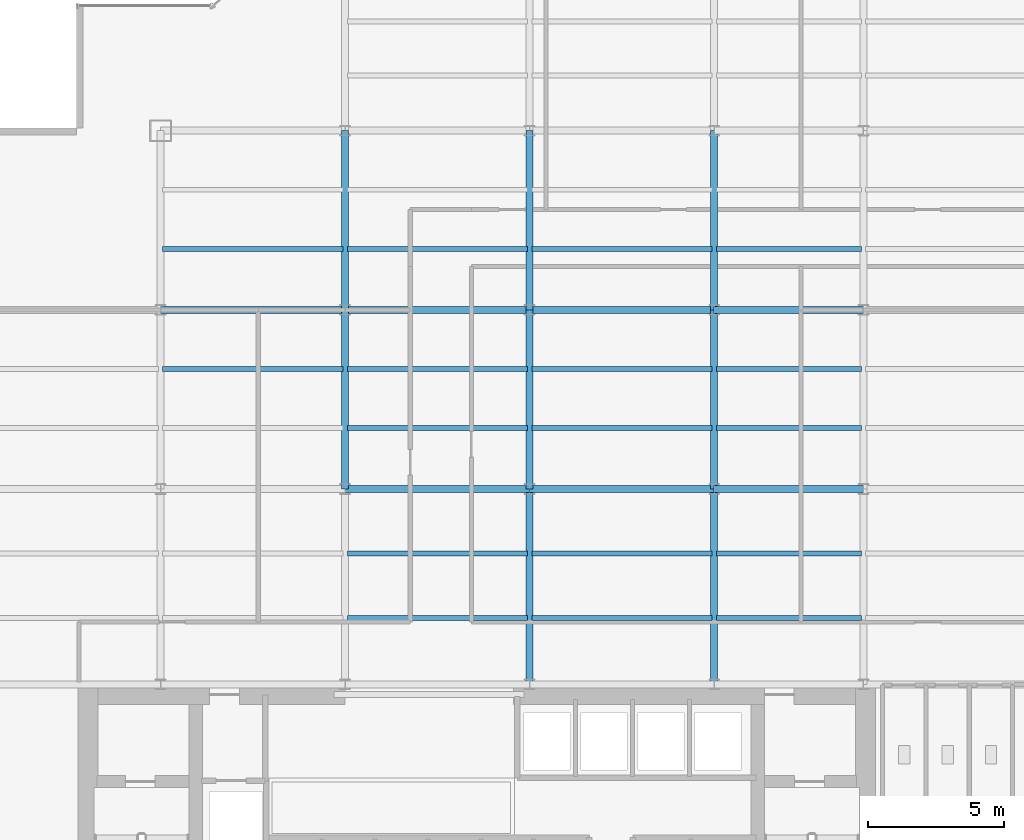
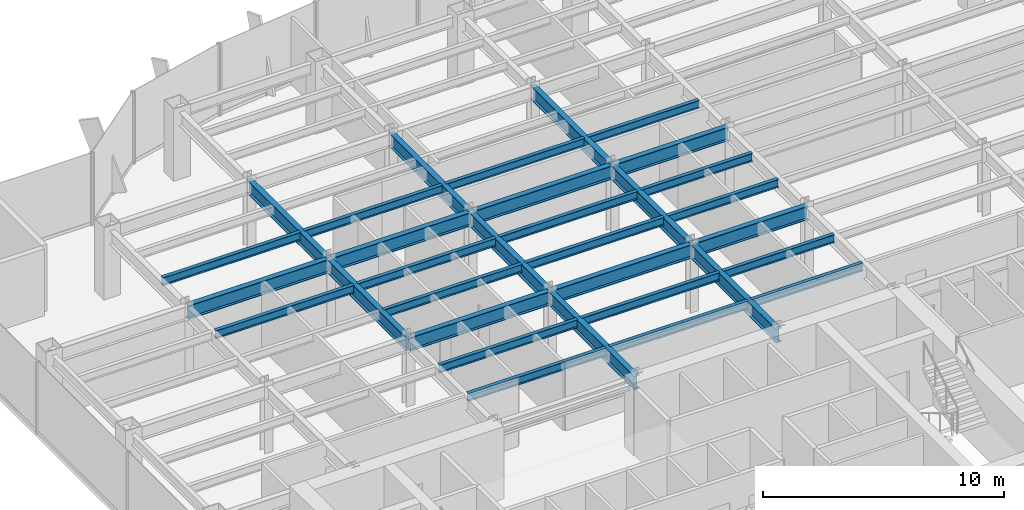
# One storey, part 7 of 26: 32 beams.
"""IFC4 building model written with IfcOpenShell, lengths in metres."""

from ifc_helpers import new_model, si_unit, derived_unit, direction, frame, origin, origin_2d, place, context, subcontext, project, spatial, i_section, extrude, source, transform, mapped, material, material_profile, profile_set, type_object, element, save


model = new_model("IFC4")

# Units and contexts
model_context = context("Model", 3, precision=1e-05, world=origin(), true_north=direction((0.0, 1.0)))
body_context = subcontext(model_context, "Body", "Model", "MODEL_VIEW")
ifc_project = project(units=[si_unit("LENGTHUNIT", "METRE"), si_unit("AREAUNIT", "SQUARE_METRE"), si_unit("VOLUMEUNIT", "CUBIC_METRE"), si_unit("PLANEANGLEUNIT", "RADIAN"), si_unit("MASSUNIT", "GRAM", prefix="KILO"), derived_unit("THERMALTRANSMITTANCEUNIT", [(si_unit("POWERUNIT", "WATT"), 1), (si_unit("LENGTHUNIT", "METRE"), -2), (si_unit("THERMODYNAMICTEMPERATUREUNIT", "KELVIN"), -1)])], contexts=[model_context])

# Site, building, storey
site_placement = place(None, origin())
site = spatial("IfcSite", under=ifc_project, at=site_placement, CompositionType="ELEMENT")
building_placement = place(site_placement, origin())
building = spatial("IfcBuilding", under=site, at=building_placement, Name="Skarnbrae Concourse Arena and Tower", CompositionType="ELEMENT")
storey_placement = place(building_placement, frame((0.0, 0.0, 92.300048828125)))
storey = spatial("IfcBuildingStorey", under=building, at=storey_placement, Name="L22", CompositionType="ELEMENT", Elevation=92.300048828125)

# Beams
ifc_material = material(Name="Steel CSA G40.21 350W", Category="steel")
ifc_material_profile_1 = material_profile(ifc_material, i_section(OverallWidth=0.256103515625, OverallDepth=0.693115234375, WebThickness=0.014404296875, FlangeThickness=0.023681640625, at=origin_2d()), Name="W690X170")
ifc_profile_set_1 = profile_set([ifc_material_profile_1], Name="Steel CSA G40.21 350W")
beam_type_1 = type_object("IfcBeamType", Name="BM-GIRD-W690X170", PredefinedType="BEAM", material=ifc_profile_set_1)
shared_shape_1 = source(origin(), body_context, "Body", "SweptSolid", [
    extrude(i_section(OverallWidth=0.256103515625, OverallDepth=0.693115234375, WebThickness=0.014404296875, FlangeThickness=0.023681640625, at=origin_2d()), origin(), (0.0, 0.0, 1.0), 6.60009765625),
])
for number, where, z_axis, x_axis, name in (
    (1, (14.39990234375, 21.199951171875, 3.053466796875), (0.0, 1.0, 0.0), (-1.0, 0.0, 0.0), "L22 Primary N-S girder X14.4-2"),
    (2, (21.199951171875, 21.199951171875, 3.053466796875), (0.0, 1.0, 0.0), (-1.0, 0.0, 0.0), "L22 Primary N-S girder X21.2-2"),
    (3, (28.0, 21.199951171875, 3.053466796875), (0.0, 1.0, 0.0), (-1.0, 0.0, 0.0), "L22 Primary N-S girder X28.0-2"),
):
    element("IfcBeam", number, at=place(storey_placement, frame(where, z_axis=z_axis, x_axis=x_axis)), inside=storey, type_object=beam_type_1, Name=name, PredefinedType="BEAM", context=body_context, shape_type="MappedRepresentation", body=[
        mapped(shared_shape_1, transform((0.0, 0.0, 0.0))),
    ])
shared_shape_2 = source(origin(), body_context, "Body", "SweptSolid", [
    extrude(i_section(OverallWidth=0.256103515625, OverallDepth=0.693115234375, WebThickness=0.014404296875, FlangeThickness=0.023681640625, at=origin_2d()), origin(), (0.0, 0.0, 1.0), 6.7998046875),
])
beam_placement = place(storey_placement, frame((7.60009765625, 27.800048828125, 3.053466796875), z_axis=(1.0, 0.0, 0.0), x_axis=(0.0, 1.0, 0.0)))
element("IfcBeam", 4, at=beam_placement, inside=storey, type_object=beam_type_1, Name="L22 Primary E-W girder Y27.8-2", PredefinedType="BEAM", context=body_context, shape_type="MappedRepresentation", body=[
    mapped(shared_shape_2, transform((0.0, 0.0, 0.0))),
])
shared_shape_3 = source(origin(), body_context, "Body", "SweptSolid", [
    extrude(i_section(OverallWidth=0.256103515625, OverallDepth=0.693115234375, WebThickness=0.014404296875, FlangeThickness=0.023681640625, at=origin_2d()), origin(), (0.0, 0.0, 1.0), 6.800048828125),
])
for number, where, z_axis, x_axis, name in (
    (5, (14.39990234375, 21.199951171875, 3.053466796875), (1.0, 0.0, 0.0), (0.0, 1.0, 0.0), "L22 Primary E-W girder Y21.2-3"),
    (6, (21.199951171875, 21.199951171875, 3.053466796875), (1.0, 0.0, 0.0), (0.0, 1.0, 0.0), "L22 Primary E-W girder Y21.2-4"),
    (7, (14.39990234375, 27.800048828125, 3.053466796875), (1.0, 0.0, 0.0), (0.0, 1.0, 0.0), "L22 Primary E-W girder Y27.8-3"),
    (8, (21.199951171875, 27.800048828125, 3.053466796875), (1.0, 0.0, 0.0), (0.0, 1.0, 0.0), "L22 Primary E-W girder Y27.8-4"),
):
    element("IfcBeam", number, at=place(storey_placement, frame(where, z_axis=z_axis, x_axis=x_axis)), inside=storey, type_object=beam_type_1, Name=name, PredefinedType="BEAM", context=body_context, shape_type="MappedRepresentation", body=[
        mapped(shared_shape_3, transform((0.0, 0.0, 0.0))),
    ])
shared_shape_4 = source(origin(), body_context, "Body", "SweptSolid", [
    extrude(i_section(OverallWidth=0.256103515625, OverallDepth=0.693115234375, WebThickness=0.014404296875, FlangeThickness=0.023681640625, at=origin_2d()), origin(), (0.0, 0.0, 1.0), 5.5),
])
for number, where, z_axis, x_axis, name in (
    (9, (28.0, 21.199951171875, 3.053466796875), (1.0, 0.0, 0.0), (0.0, 1.0, 0.0), "L22 Primary E-W girder Y21.2-5"),
    (10, (28.0, 27.800048828125, 3.053466796875), (1.0, 0.0, 0.0), (0.0, 1.0, 0.0), "L22 Primary E-W girder Y27.8-5"),
):
    element("IfcBeam", number, at=place(storey_placement, frame(where, z_axis=z_axis, x_axis=x_axis)), inside=storey, type_object=beam_type_1, Name=name, PredefinedType="BEAM", context=body_context, shape_type="MappedRepresentation", body=[
        mapped(shared_shape_4, transform((0.0, 0.0, 0.0))),
    ])
shared_shape_5 = source(origin(), body_context, "Body", "SweptSolid", [
    extrude(i_section(OverallWidth=0.256103515625, OverallDepth=0.693115234375, WebThickness=0.014404296875, FlangeThickness=0.023681640625, at=origin_2d()), origin(), (0.0, 0.0, 1.0), 7.199951171875),
])
for number, where, z_axis, x_axis, name in (
    (11, (21.199951171875, 14.0, 3.053466796875), (0.0, 1.0, 0.0), (-1.0, 0.0, 0.0), "L22 Primary N-S girder X21.2-1"),
    (12, (28.0, 14.0, 3.053466796875), (0.0, 1.0, 0.0), (-1.0, 0.0, 0.0), "L22 Primary N-S girder X28.0-1"),
):
    element("IfcBeam", number, at=place(storey_placement, frame(where, z_axis=z_axis, x_axis=x_axis)), inside=storey, type_object=beam_type_1, Name=name, PredefinedType="BEAM", context=body_context, shape_type="MappedRepresentation", body=[
        mapped(shared_shape_5, transform((0.0, 0.0, 0.0))),
    ])
shared_shape_6 = source(origin(), body_context, "Body", "SweptSolid", [
    extrude(i_section(OverallWidth=0.256103515625, OverallDepth=0.693115234375, WebThickness=0.014404296875, FlangeThickness=0.023681640625, at=origin_2d()), origin(), (0.0, 0.0, 1.0), 6.599853515625),
])
for number, where, z_axis, x_axis, name in (
    (13, (14.39990234375, 27.800048828125, 3.053466796875), (0.0, 1.0, 0.0), (-1.0, 0.0, 0.0), "L22 Primary N-S girder X14.4-3"),
    (14, (21.199951171875, 27.800048828125, 3.053466796875), (0.0, 1.0, 0.0), (-1.0, 0.0, 0.0), "L22 Primary N-S girder X21.2-3"),
    (15, (28.0, 27.800048828125, 3.053466796875), (0.0, 1.0, 0.0), (-1.0, 0.0, 0.0), "L22 Primary N-S girder X28.0-3"),
):
    element("IfcBeam", number, at=place(storey_placement, frame(where, z_axis=z_axis, x_axis=x_axis)), inside=storey, type_object=beam_type_1, Name=name, PredefinedType="BEAM", context=body_context, shape_type="MappedRepresentation", body=[
        mapped(shared_shape_6, transform((0.0, 0.0, 0.0))),
    ])
ifc_material_profile_2 = material_profile(ifc_material, i_section(OverallWidth=0.177978515625, OverallDepth=0.406982421875, WebThickness=0.0078125, FlangeThickness=0.0126953125, at=origin_2d()), Name="W410X60")
ifc_profile_set_2 = profile_set([ifc_material_profile_2], Name="Steel CSA G40.21 350W")
beam_type_2 = type_object("IfcBeamType", Name="BM-JOIST-W410X60", PredefinedType="JOIST", material=ifc_profile_set_2)
shared_shape_7 = source(origin(), body_context, "Body", "SweptSolid", [
    extrude(i_section(OverallWidth=0.177978515625, OverallDepth=0.406982421875, WebThickness=0.0078125, FlangeThickness=0.0126953125, at=origin_2d()), origin(), (0.0, 0.0, 1.0), 6.64013671875),
])
for number, where, z_axis, x_axis, name in (
    (16, (14.47998046875, 16.447998046875, 3.196533203125), (1.0, 0.0, 0.0), (0.0, 1.0, 0.0), "L22 Secondary floor joist 1.1.3"),
    (17, (14.47998046875, 18.823974609375, 3.196533203125), (1.0, 0.0, 0.0), (0.0, 1.0, 0.0), "L22 Secondary floor joist 1.2.3"),
    (18, (14.47998046875, 23.444091796875, 3.196533203125), (1.0, 0.0, 0.0), (0.0, 1.0, 0.0), "L22 Secondary floor joist 2.1.3"),
    (19, (7.679931640625, 25.6220703125, 3.196533203125), (1.0, 0.0, 0.0), (0.0, 1.0, 0.0), "L22 Secondary floor joist 2.2.2"),
    (20, (14.47998046875, 25.6220703125, 3.196533203125), (1.0, 0.0, 0.0), (0.0, 1.0, 0.0), "L22 Secondary floor joist 2.2.3"),
    (21, (7.679931640625, 30.0439453125, 3.196533203125), (1.0, 0.0, 0.0), (0.0, 1.0, 0.0), "L22 Secondary floor joist 3.1.1"),
    (22, (14.47998046875, 30.0439453125, 3.196533203125), (1.0, 0.0, 0.0), (0.0, 1.0, 0.0), "L22 Secondary floor joist 3.1.2"),
):
    element("IfcBeam", number, at=place(storey_placement, frame(where, z_axis=z_axis, x_axis=x_axis)), inside=storey, type_object=beam_type_2, Name=name, PredefinedType="JOIST", context=body_context, shape_type="MappedRepresentation", body=[
        mapped(shared_shape_7, transform((0.0, 0.0, 0.0))),
    ])
shared_shape_8 = source(origin(), body_context, "Body", "SweptSolid", [
    extrude(i_section(OverallWidth=0.177978515625, OverallDepth=0.406982421875, WebThickness=0.0078125, FlangeThickness=0.0126953125, at=origin_2d()), origin(), (0.0, 0.0, 1.0), 6.639892578125),
])
for number, where, z_axis, x_axis, name in (
    (23, (21.280029296875, 16.447998046875, 3.196533203125), (1.0, 0.0, 0.0), (0.0, 1.0, 0.0), "L22 Secondary floor joist 1.1.4"),
    (24, (21.280029296875, 18.823974609375, 3.196533203125), (1.0, 0.0, 0.0), (0.0, 1.0, 0.0), "L22 Secondary floor joist 1.2.4"),
    (25, (21.280029296875, 23.444091796875, 3.196533203125), (1.0, 0.0, 0.0), (0.0, 1.0, 0.0), "L22 Secondary floor joist 2.1.4"),
    (26, (21.280029296875, 25.6220703125, 3.196533203125), (1.0, 0.0, 0.0), (0.0, 1.0, 0.0), "L22 Secondary floor joist 2.2.4"),
    (27, (21.280029296875, 30.0439453125, 3.196533203125), (1.0, 0.0, 0.0), (0.0, 1.0, 0.0), "L22 Secondary floor joist 3.1.3"),
):
    element("IfcBeam", number, at=place(storey_placement, frame(where, z_axis=z_axis, x_axis=x_axis)), inside=storey, type_object=beam_type_2, Name=name, PredefinedType="JOIST", context=body_context, shape_type="MappedRepresentation", body=[
        mapped(shared_shape_8, transform((0.0, 0.0, 0.0))),
    ])
shared_shape_9 = source(origin(), body_context, "Body", "SweptSolid", [
    extrude(i_section(OverallWidth=0.177978515625, OverallDepth=0.406982421875, WebThickness=0.0078125, FlangeThickness=0.0126953125, at=origin_2d()), origin(), (0.0, 0.0, 1.0), 5.33984375),
])
for number, where, z_axis, x_axis, name in (
    (28, (28.080078125, 16.447998046875, 3.196533203125), (1.0, 0.0, 0.0), (0.0, 1.0, 0.0), "L22 Secondary floor joist 1.1.5"),
    (29, (28.080078125, 18.823974609375, 3.196533203125), (1.0, 0.0, 0.0), (0.0, 1.0, 0.0), "L22 Secondary floor joist 1.2.5"),
    (30, (28.080078125, 23.444091796875, 3.196533203125), (1.0, 0.0, 0.0), (0.0, 1.0, 0.0), "L22 Secondary floor joist 2.1.5"),
    (31, (28.080078125, 25.6220703125, 3.196533203125), (1.0, 0.0, 0.0), (0.0, 1.0, 0.0), "L22 Secondary floor joist 2.2.5"),
    (32, (28.080078125, 30.0439453125, 3.196533203125), (1.0, 0.0, 0.0), (0.0, 1.0, 0.0), "L22 Secondary floor joist 3.1.4"),
):
    element("IfcBeam", number, at=place(storey_placement, frame(where, z_axis=z_axis, x_axis=x_axis)), inside=storey, type_object=beam_type_2, Name=name, PredefinedType="JOIST", context=body_context, shape_type="MappedRepresentation", body=[
        mapped(shared_shape_9, transform((0.0, 0.0, 0.0))),
    ])

save(model, "model.ifc")
